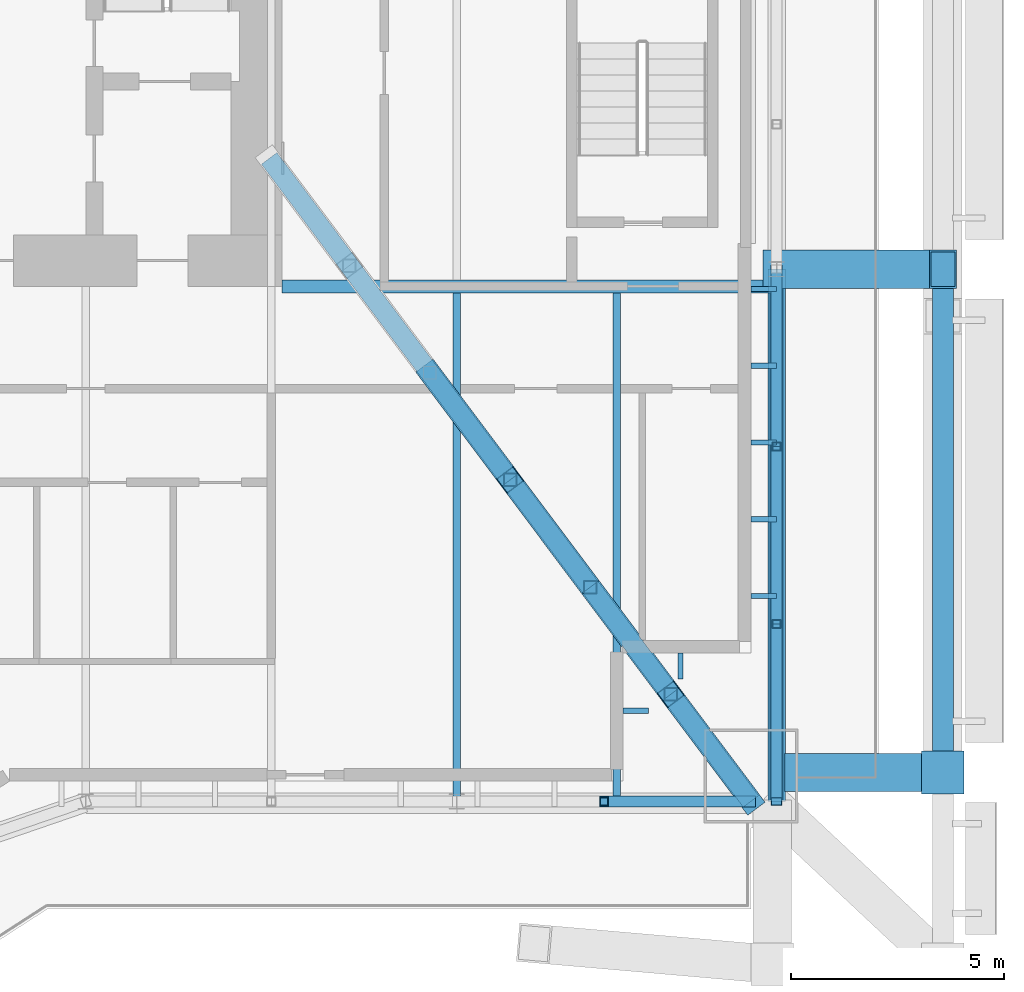
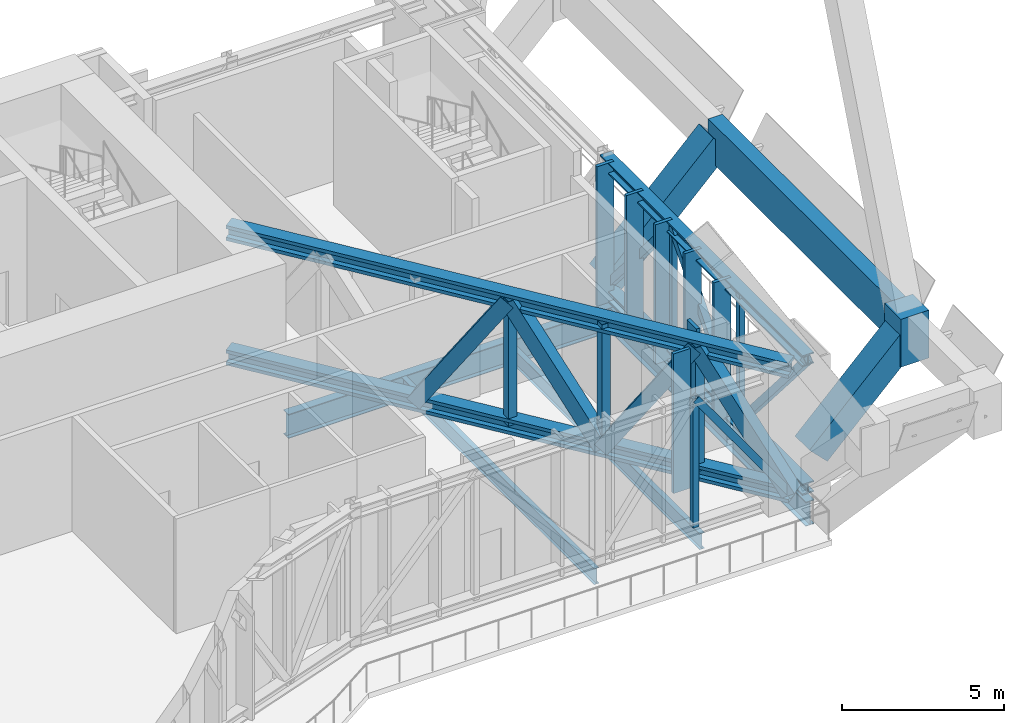
# One storey, part 15 of 30: 28 members, 5 beams, 1 element without a shape of its own.
"""IFC4 building model written with IfcOpenShell, lengths in metres."""

from ifc_helpers import new_model, si_unit, direction, frame, origin, origin_2d, place, context, subcontext, project, spatial, rectangle, hollow_rectangle, i_section, extrude, material, material_profile, profile_set, type_object, element, aggregate, save


model = new_model("IFC4")

# Units and contexts
model_context = context("Model", 3, precision=1e-05, world=origin(), true_north=direction((0.0, 1.0)))
body_context = subcontext(model_context, "Body", "Model", "MODEL_VIEW")
ifc_project = project(units=[si_unit("LENGTHUNIT", "METRE"), si_unit("AREAUNIT", "SQUARE_METRE"), si_unit("VOLUMEUNIT", "CUBIC_METRE"), si_unit("PLANEANGLEUNIT", "RADIAN"), si_unit("MASSUNIT", "GRAM", prefix="KILO")], contexts=[model_context])

# Site, building, storey
site_placement = place(None, origin())
site = spatial("IfcSite", under=ifc_project, at=site_placement, CompositionType="ELEMENT")
building_placement = place(site_placement, origin())
building = spatial("IfcBuilding", under=site, at=building_placement, Name="Bicima Exchange Tower", CompositionType="ELEMENT")
storey_placement = place(building_placement, frame((0.0, 0.0, 287.60009765625)))
storey = spatial("IfcBuildingStorey", under=building, at=storey_placement, Name="L65", CompositionType="ELEMENT", Elevation=287.60009765625)

# Curtain wall, members
ifc_material_1 = material(Name="Anodised bronze aluminium", Category="aluminium")
curtain_wall_type = type_object("IfcCurtainWallType", Name="Band blade screen", PredefinedType="NOTDEFINED", material=ifc_material_1)
curtain_wall_placement = place(storey_placement, origin())
curtain_wall = element("IfcCurtainWall", 1, at=curtain_wall_placement, inside=storey, type_object=curtain_wall_type, Name="Band blade screen L65", PredefinedType="NOTDEFINED")
ifc_material_profile_1 = material_profile(ifc_material_1, rectangle(XDim=0.60009765625, YDim=0.1201171875, at=origin_2d()))
ifc_profile_set_1 = profile_set([ifc_material_profile_1], Name="Anodised bronze aluminium")
member_type_1 = type_object("IfcMemberType", Name="Band blade fin 600 x 120", PredefinedType="USERDEFINED", material=ifc_profile_set_1)
member_1_placement = place(storey_placement, frame((33.300048828125, -20.26416015625, 0.0), z_axis=(0.0, 0.0, 1.0), x_axis=(-1.0, 0.0, 0.0)))
member_1 = element("IfcMember", 2, at=member_1_placement, type_object=member_type_1, Name="Band blade fin 1", ObjectType="FIN", PredefinedType="USERDEFINED", context=body_context, shape_type="SweptSolid", body=[
    extrude(rectangle(XDim=0.60009765625, YDim=0.1201171875, at=origin_2d()), origin(), (0.0, 0.0, 1.0), 5.25),
])
member_2_placement = place(storey_placement, frame((33.300048828125, -18.464111328125, 0.0), z_axis=(0.0, 0.0, 1.0), x_axis=(-1.0, 0.0, 0.0)))
member_2 = element("IfcMember", 3, at=member_2_placement, type_object=member_type_1, Name="Band blade fin 2", ObjectType="FIN", PredefinedType="USERDEFINED", context=body_context, shape_type="SweptSolid", body=[
    extrude(rectangle(XDim=0.60009765625, YDim=0.1201171875, at=origin_2d()), origin(), (0.0, 0.0, 1.0), 5.25),
])
member_3_placement = place(storey_placement, frame((33.300048828125, -16.6640625, 0.0), z_axis=(0.0, 0.0, 1.0), x_axis=(-1.0, 0.0, 0.0)))
member_3 = element("IfcMember", 4, at=member_3_placement, type_object=member_type_1, Name="Band blade fin 3", ObjectType="FIN", PredefinedType="USERDEFINED", context=body_context, shape_type="SweptSolid", body=[
    extrude(rectangle(XDim=0.60009765625, YDim=0.1201171875, at=origin_2d()), origin(), (0.0, 0.0, 1.0), 5.25),
])
member_4_placement = place(storey_placement, frame((33.300048828125, -14.864013671875, 0.0), z_axis=(0.0, 0.0, 1.0), x_axis=(-1.0, 0.0, 0.0)))
member_4 = element("IfcMember", 5, at=member_4_placement, type_object=member_type_1, Name="Band blade fin 4", ObjectType="FIN", PredefinedType="USERDEFINED", context=body_context, shape_type="SweptSolid", body=[
    extrude(rectangle(XDim=0.60009765625, YDim=0.1201171875, at=origin_2d()), origin(), (0.0, 0.0, 1.0), 5.25),
])
member_5_placement = place(storey_placement, frame((33.300048828125, -13.064208984375, 0.0), z_axis=(0.0, 0.0, 1.0), x_axis=(-1.0, 0.0, 0.0)))
member_5 = element("IfcMember", 6, at=member_5_placement, type_object=member_type_1, Name="Band blade fin 5", ObjectType="FIN", PredefinedType="USERDEFINED", context=body_context, shape_type="SweptSolid", body=[
    extrude(rectangle(XDim=0.60009765625, YDim=0.1201171875, at=origin_2d()), origin(), (0.0, 0.0, 1.0), 5.25),
])
member_6_placement = place(storey_placement, frame((30.300048828125, -22.9541015625, 0.0), z_axis=(0.0, 0.0, 1.0), x_axis=(-1.0, 0.0, 0.0)))
member_6 = element("IfcMember", 7, at=member_6_placement, type_object=member_type_1, Name="Band blade fin 49", ObjectType="FIN", PredefinedType="USERDEFINED", context=body_context, shape_type="SweptSolid", body=[
    extrude(rectangle(XDim=0.60009765625, YDim=0.1201171875, at=origin_2d()), origin(), (0.0, 0.0, 1.0), 5.25),
])
member_7_placement = place(storey_placement, frame((31.35009765625, -21.904052734375, 0.0), z_axis=(0.0, 0.0, 1.0), x_axis=(0.0, 1.0, 0.0)))
member_7 = element("IfcMember", 8, at=member_7_placement, type_object=member_type_1, Name="Band blade fin 50", ObjectType="FIN", PredefinedType="USERDEFINED", context=body_context, shape_type="SweptSolid", body=[
    extrude(rectangle(XDim=0.60009765625, YDim=0.1201171875, at=origin_2d()), origin(), (0.0, 0.0, 1.0), 5.25),
])
aggregate(curtain_wall, [member_1, member_2, member_3, member_4, member_5, member_6, member_7])

# Beam
ifc_material_2 = material(Name="Steel ASTM A572 Gr 50", Category="steel")
ifc_material_profile_2 = material_profile(ifc_material_2, hollow_rectangle(XDim=0.5, YDim=1.5, WallThickness=0.050048828125, at=origin_2d()))
ifc_profile_set_2 = profile_set([ifc_material_profile_2], Name="Steel ASTM A572 Gr 50")
beam_type_1 = type_object("IfcBeamType", Name="Belt girder BOX 500x1500x50", PredefinedType="BEAM", material=ifc_profile_set_2)
beam_1_placement = place(storey_placement, frame((37.5, -24.400634765625, 4.5), z_axis=(0.0, 1.0, 0.0), x_axis=(-1.0, 0.0, 0.0)))
element("IfcBeam", 9, at=beam_1_placement, inside=storey, type_object=beam_type_1, Name="Belt girder", PredefinedType="BEAM", context=body_context, shape_type="SweptSolid", body=[
    extrude(hollow_rectangle(XDim=0.5, YDim=1.5, WallThickness=0.050048828125, at=origin_2d()), origin(), (0.0, 0.0, 1.0), 11.800537109375),
])

# Members
ifc_material_3 = material(Name="Steel ASTM A992 Gr 50", Category="steel")
ifc_material_profile_3 = material_profile(ifc_material_3, i_section(OverallWidth=0.406494140625, OverallDepth=0.41650390625, WebThickness=0.030029296875, FlangeThickness=0.048095703125, at=origin_2d()))
ifc_profile_set_3 = profile_set([ifc_material_profile_3], Name="Steel ASTM A992 Gr 50")
member_type_2 = type_object("IfcMemberType", Name="Belt truss chord W14x257", PredefinedType="CHORD", material=ifc_profile_set_3)
for number, where, z_axis, x_axis, name in (
    (10, (33.60009765625, -12.60009765625, 5.04150390625), (0.0, -1.0, 0.0), (1.0, 0.0, 0.0), "Top chord"),
    (11, (33.60009765625, -12.60009765625, 0.208251953125), (0.0, -1.0, 0.0), (1.0, 0.0, 0.0), "Bottom chord"),
):
    element("IfcMember", number, at=place(storey_placement, frame(where, z_axis=z_axis, x_axis=x_axis)), inside=storey, type_object=member_type_2, Name=name, PredefinedType="CHORD", context=body_context, shape_type="SweptSolid", body=[
        extrude(i_section(OverallWidth=0.406494140625, OverallDepth=0.41650390625, WebThickness=0.030029296875, FlangeThickness=0.048095703125, at=origin_2d()), origin(), (0.0, 0.0, 1.0), 12.48193359375),
    ])
ifc_material_profile_4 = material_profile(ifc_material_2, hollow_rectangle(XDim=0.25390625, YDim=0.25390625, WallThickness=0.01171875, at=origin_2d()))
ifc_profile_set_4 = profile_set([ifc_material_profile_4], Name="Steel ASTM A572 Gr 50")
member_type_3 = type_object("IfcMemberType", Name="Belt truss diagonal HSS10x10x1/2", PredefinedType="STRUT", material=ifc_profile_set_4)
member_8_placement = place(storey_placement, frame((29.550048828125, -25.08203125, 5.04150390625), z_axis=(0.580973703743, 0.0, -0.813922327719), x_axis=(0.0, 1.0, 0.0)))
element("IfcMember", 12, at=member_8_placement, inside=storey, type_object=member_type_3, Name="Truss diagonal", PredefinedType="STRUT", context=body_context, shape_type="SweptSolid", body=[
    extrude(hollow_rectangle(XDim=0.25390625, YDim=0.25390625, WallThickness=0.01171875, at=origin_2d()), origin(), (0.0, 0.0, 1.0), 5.938232421875),
])
for number, where, z_axis, x_axis, name in (
    (13, (33.60009765625, -12.60009765625, 0.208251953125), (0.0, -0.652404057498, 0.757871325331), (1.0, 0.0, 0.0), "Truss diagonal"),
    (14, (33.60009765625, -16.7607421875, 5.04150390625), (0.0, -0.652404057498, -0.757871325331), (1.0, 0.0, 0.0), "Truss diagonal"),
    (15, (33.60009765625, -20.92138671875, 0.208251953125), (0.0, -0.652404057498, 0.757871325331), (1.0, 0.0, 0.0), "Truss diagonal"),
):
    element("IfcMember", number, at=place(storey_placement, frame(where, z_axis=z_axis, x_axis=x_axis)), inside=storey, type_object=member_type_3, Name=name, PredefinedType="STRUT", context=body_context, shape_type="SweptSolid", body=[
        extrude(hollow_rectangle(XDim=0.25390625, YDim=0.25390625, WallThickness=0.01171875, at=origin_2d()), origin(), (0.0, 0.0, 1.0), 6.37744140625),
    ])
ifc_material_profile_5 = material_profile(ifc_material_2, hollow_rectangle(XDim=0.203125, YDim=0.203125, WallThickness=0.01171875, at=origin_2d()))
ifc_profile_set_5 = profile_set([ifc_material_profile_5], Name="Steel ASTM A572 Gr 50")
member_type_4 = type_object("IfcMemberType", Name="Belt truss post HSS8x8x1/2", PredefinedType="POST", material=ifc_profile_set_5)
for number, where, z_axis, x_axis, name in (
    (16, (29.550048828125, -25.08203125, 0.208251953125), (0.0, 0.0, 1.0), (1.0, 0.0, 0.0), "Truss post"),
    (17, (33.60009765625, -16.7607421875, 0.208251953125), (0.0, 0.0, 1.0), (1.0, 0.0, 0.0), "Truss post"),
    (18, (33.60009765625, -20.92138671875, 0.208251953125), (0.0, 0.0, 1.0), (1.0, 0.0, 0.0), "Truss post"),
):
    element("IfcMember", number, at=place(storey_placement, frame(where, z_axis=z_axis, x_axis=x_axis)), inside=storey, type_object=member_type_4, Name=name, PredefinedType="POST", context=body_context, shape_type="SweptSolid", body=[
        extrude(hollow_rectangle(XDim=0.203125, YDim=0.203125, WallThickness=0.01171875, at=origin_2d()), origin(), (0.0, 0.0, 1.0), 4.833251953125),
    ])

# Beams
ifc_material_profile_6 = material_profile(ifc_material_3, i_section(OverallWidth=0.3046875, OverallDepth=0.911865234375, WebThickness=0.015869140625, FlangeThickness=0.02392578125, at=origin_2d()))
ifc_profile_set_6 = profile_set([ifc_material_profile_6], Name="Steel ASTM A992 Gr 50")
beam_type_2 = type_object("IfcBeamType", Name="Core-line girder W36x150", PredefinedType="BEAM", material=ifc_profile_set_6)
beam_2_placement = place(storey_placement, frame((22.0, -13.0, -0.656005859375), z_axis=(1.0, 0.0, 0.0), x_axis=(0.0, 1.0, 0.0)))
element("IfcBeam", 19, at=beam_2_placement, inside=storey, type_object=beam_type_2, Name="Core-line girder", PredefinedType="BEAM", context=body_context, shape_type="SweptSolid", body=[
    extrude(i_section(OverallWidth=0.3046875, OverallDepth=0.911865234375, WebThickness=0.015869140625, FlangeThickness=0.02392578125, at=origin_2d()), origin(), (0.0, 0.0, 1.0), 11.60009765625),
])
beam_type_3 = type_object("IfcBeamType", Name="End girder W36x150", PredefinedType="BEAM", material=ifc_profile_set_6)
beam_3_placement = place(storey_placement, frame((33.60009765625, -12.60009765625, -0.656005859375), z_axis=(0.0, -1.0, 0.0), x_axis=(1.0, 0.0, 0.0)))
element("IfcBeam", 20, at=beam_3_placement, inside=storey, type_object=beam_type_3, Name="End girder", PredefinedType="BEAM", context=body_context, shape_type="SweptSolid", body=[
    extrude(i_section(OverallWidth=0.3046875, OverallDepth=0.911865234375, WebThickness=0.015869140625, FlangeThickness=0.02392578125, at=origin_2d()), origin(), (0.0, 0.0, 1.0), 12.60400390625),
])

# Members
ifc_material_4 = material(Name="Cast steel ASTM A216 Gr WCB", Category="steel")
ifc_material_profile_7 = material_profile(ifc_material_4, rectangle(XDim=1.0, YDim=1.0, at=origin_2d()))
ifc_profile_set_7 = profile_set([ifc_material_profile_7], Name="Cast steel ASTM A216 Gr WCB")
member_type_5 = type_object("IfcMemberType", Name="Exo node block", PredefinedType="POST", material=ifc_profile_set_7)
member_9_placement = place(storey_placement, frame((37.5, -24.400634765625, 3.449951171875), z_axis=(0.0, 0.0, 1.0), x_axis=(1.0, 0.0, 0.0)))
element("IfcMember", 21, at=member_9_placement, inside=storey, type_object=member_type_5, Name="Exo node block", PredefinedType="POST", context=body_context, shape_type="SweptSolid", body=[
    extrude(rectangle(XDim=1.0, YDim=1.0, at=origin_2d()), origin(), (0.0, 0.0, 1.0), 1.800048828125),
])
ifc_material_profile_8 = material_profile(ifc_material_2, hollow_rectangle(XDim=0.89990234375, YDim=0.89990234375, WallThickness=0.050048828125, at=origin_2d()))
ifc_profile_set_8 = profile_set([ifc_material_profile_8], Name="Steel ASTM A572 Gr 50")
member_type_6 = type_object("IfcMemberType", Name="Exo outrigger stub BOX 900x900x50", PredefinedType="STRUT", material=ifc_profile_set_8)
member_10_placement = place(storey_placement, frame((34.10009765625, -24.400634765625, 1.099853515625), z_axis=(0.707081393635, 0.0, 0.707132167827), x_axis=(0.0, 1.0, 0.0)))
element("IfcMember", 22, at=member_10_placement, inside=storey, type_object=member_type_6, Name="Exo outrigger stub", PredefinedType="STRUT", context=body_context, shape_type="SweptSolid", body=[
    extrude(hollow_rectangle(XDim=0.89990234375, YDim=0.89990234375, WallThickness=0.050048828125, at=origin_2d()), origin(), (0.0, 0.0, 1.0), 4.808349609375),
])
member_11_placement = place(storey_placement, frame((33.60009765625, -12.60009765625, 0.599853515625), z_axis=(0.70708464848, 0.0, 0.707128913201), x_axis=(0.0, 1.0, 0.0)))
element("IfcMember", 23, at=member_11_placement, inside=storey, type_object=member_type_6, Name="Exo outrigger stub", PredefinedType="STRUT", context=body_context, shape_type="SweptSolid", body=[
    extrude(hollow_rectangle(XDim=0.89990234375, YDim=0.89990234375, WallThickness=0.050048828125, at=origin_2d()), origin(), (0.0, 0.0, 1.0), 5.515380859375),
])

# Beams
ifc_material_profile_9 = material_profile(ifc_material_3, i_section(OverallWidth=0.177978515625, OverallDepth=0.599365234375, WebThickness=0.010009765625, FlangeThickness=0.012939453125, at=origin_2d()))
ifc_profile_set_9 = profile_set([ifc_material_profile_9], Name="Steel ASTM A992 Gr 50")
beam_type_4 = type_object("IfcBeamType", Name="Floor beam W24x55", PredefinedType="JOIST", material=ifc_profile_set_9)
for number, where, z_axis, x_axis, name in (
    (24, (26.10009765625, -13.15234375, -0.499755859375), (0.0, -1.0, 0.0), (1.0, 0.0, 0.0), "Floor beam"),
    (25, (29.85009765625, -13.15234375, -0.499755859375), (0.0, -1.0, 0.0), (1.0, 0.0, 0.0), "Floor beam"),
):
    element("IfcBeam", number, at=place(storey_placement, frame(where, z_axis=z_axis, x_axis=x_axis)), inside=storey, type_object=beam_type_4, Name=name, PredefinedType="JOIST", context=body_context, shape_type="SweptSolid", body=[
        extrude(i_section(OverallWidth=0.177978515625, OverallDepth=0.599365234375, WebThickness=0.010009765625, FlangeThickness=0.012939453125, at=origin_2d()), origin(), (0.0, 0.0, 1.0), 11.88916015625),
    ])

# Members
ifc_material_profile_10 = material_profile(ifc_material_3, i_section(OverallWidth=0.45458984375, OverallDepth=0.56884765625, WebThickness=0.077880859375, FlangeThickness=0.124755859375, at=origin_2d()))
ifc_profile_set_10 = profile_set([ifc_material_profile_10], Name="Steel ASTM A992 Gr 50")
member_type_7 = type_object("IfcMemberType", Name="Outrigger truss chord W14x730", PredefinedType="CHORD", material=ifc_profile_set_10)
for number, where, z_axis, x_axis, name in (
    (26, (21.699951171875, -10.0, 4.96533203125), (0.59961025017, -0.800292164082, 0.0), (0.800292164082, 0.59961025017, 0.0), "Top chord"),
    (27, (21.699951171875, -10.0, 0.284423828125), (0.59961025017, -0.800292164082, 0.0), (0.800292164082, 0.59961025017, 0.0), "Bottom chord"),
):
    element("IfcMember", number, at=place(storey_placement, frame(where, z_axis=z_axis, x_axis=x_axis)), inside=storey, type_object=member_type_7, Name=name, PredefinedType="CHORD", context=body_context, shape_type="SweptSolid", body=[
        extrude(i_section(OverallWidth=0.45458984375, OverallDepth=0.56884765625, WebThickness=0.077880859375, FlangeThickness=0.124755859375, at=origin_2d()), origin(), (0.0, 0.0, 1.0), 18.845703125),
    ])
ifc_material_profile_11 = material_profile(ifc_material_2, hollow_rectangle(XDim=0.508056640625, YDim=0.508056640625, WallThickness=0.017822265625, at=origin_2d()))
ifc_profile_set_11 = profile_set([ifc_material_profile_11], Name="Steel ASTM A572 Gr 50")
member_type_8 = type_object("IfcMemberType", Name="Outrigger truss diagonal HSS20x20x3/4", PredefinedType="STRUT", material=ifc_profile_set_11)
for number, where, z_axis, x_axis, name in (
    (28, (25.466796875, -15.02734375, 0.284423828125), (0.334093656655, -0.445920182644, 0.830383417039), (0.800298380594, 0.599601952982, 0.0), "Truss diagonal"),
    (29, (27.35009765625, -17.541015625, 4.96533203125), (0.334093656655, -0.445920182644, -0.830383417039), (0.800298380594, 0.599601952982, 0.0), "Truss diagonal"),
    (30, (29.2333984375, -20.0546875, 0.284423828125), (0.334093656655, -0.445920182644, 0.830383417039), (0.800298380594, 0.599601952982, 0.0), "Truss diagonal"),
    (31, (31.11669921875, -22.568359375, 4.96533203125), (0.334093656655, -0.445920182644, -0.830383417039), (0.800298380594, 0.599601952982, 0.0), "Truss diagonal"),
):
    element("IfcMember", number, at=place(storey_placement, frame(where, z_axis=z_axis, x_axis=x_axis)), inside=storey, type_object=member_type_8, Name=name, PredefinedType="STRUT", context=body_context, shape_type="SweptSolid", body=[
        extrude(hollow_rectangle(XDim=0.508056640625, YDim=0.508056640625, WallThickness=0.017822265625, at=origin_2d()), origin(), (0.0, 0.0, 1.0), 5.636962890625),
    ])
ifc_material_profile_12 = material_profile(ifc_material_2, hollow_rectangle(XDim=0.3046875, YDim=0.3046875, WallThickness=0.01171875, at=origin_2d()))
ifc_profile_set_12 = profile_set([ifc_material_profile_12], Name="Steel ASTM A572 Gr 50")
member_type_9 = type_object("IfcMemberType", Name="Outrigger truss post HSS12x12x1/2", PredefinedType="POST", material=ifc_profile_set_12)
for number, where, z_axis, x_axis, name in (
    (32, (27.35009765625, -17.541015625, 0.284423828125), (0.0, 0.0, 1.0), (1.0, 0.0, 0.0), "Truss post"),
    (33, (29.2333984375, -20.0546875, 0.284423828125), (0.0, 0.0, 1.0), (1.0, 0.0, 0.0), "Truss post"),
    (34, (31.11669921875, -22.568359375, 0.284423828125), (0.0, 0.0, 1.0), (1.0, 0.0, 0.0), "Truss post"),
):
    element("IfcMember", number, at=place(storey_placement, frame(where, z_axis=z_axis, x_axis=x_axis)), inside=storey, type_object=member_type_9, Name=name, PredefinedType="POST", context=body_context, shape_type="SweptSolid", body=[
        extrude(hollow_rectangle(XDim=0.3046875, YDim=0.3046875, WallThickness=0.01171875, at=origin_2d()), origin(), (0.0, 0.0, 1.0), 4.680908203125),
    ])

save(model, "model.ifc")
